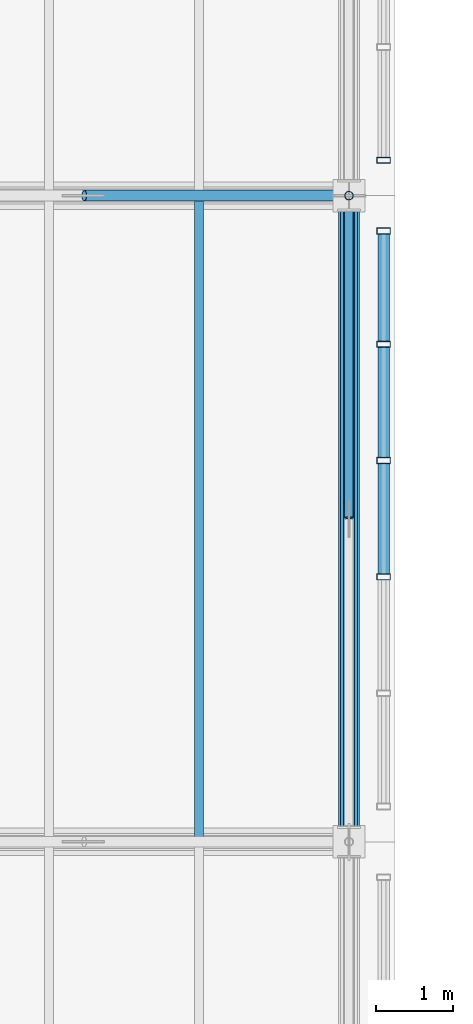
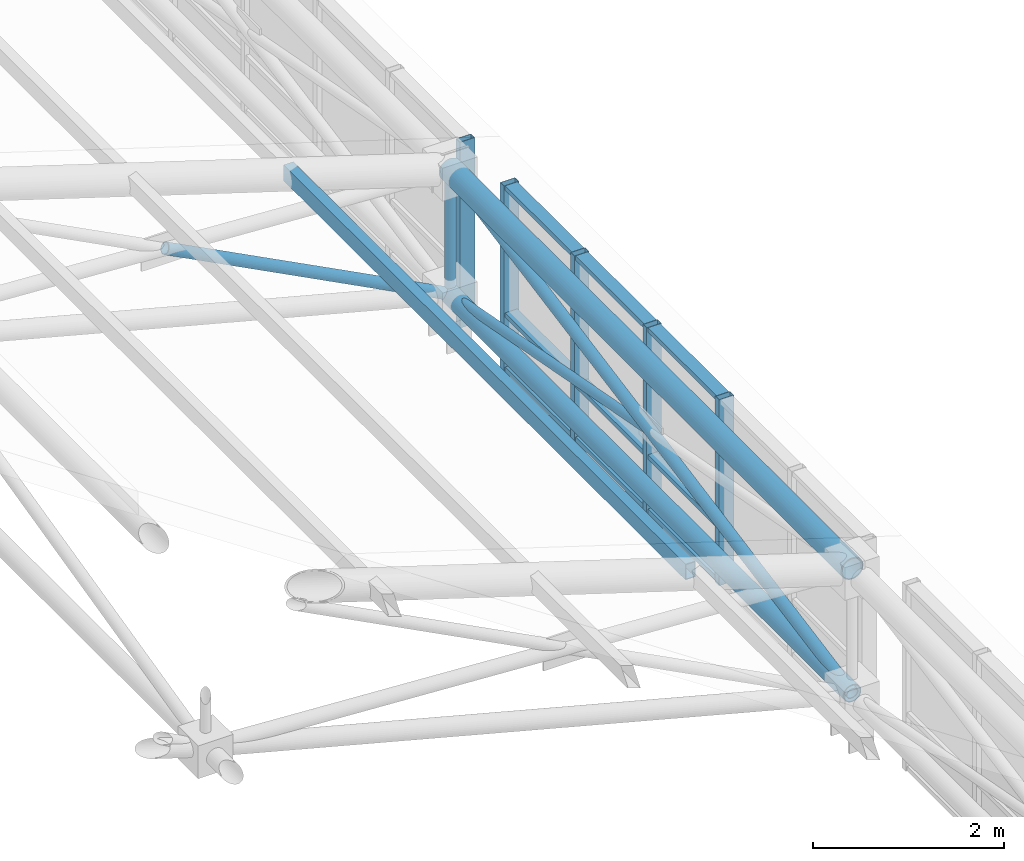
# One storey, part 94 of 144: 21 members, 2 elements without a shape of their own.
"""IFC4 building model written with IfcOpenShell, lengths in metres."""

from ifc_helpers import new_model, si_unit, direction, frame, origin, origin_2d, place, context, subcontext, project, spatial, hollow_rectangle, hollow_circle, extrude, material, layer, layer_set, material_profile, profile_set, type_object, element, aggregate, save


model = new_model("IFC4")

# Units and contexts
model_context = context("Model", 3, precision=1e-05, world=origin(), true_north=direction((0.0, 1.0)))
body_context = subcontext(model_context, "Body", "Model", "MODEL_VIEW")
ifc_project = project(units=[si_unit("LENGTHUNIT", "METRE"), si_unit("AREAUNIT", "SQUARE_METRE"), si_unit("VOLUMEUNIT", "CUBIC_METRE"), si_unit("PLANEANGLEUNIT", "RADIAN"), si_unit("MASSUNIT", "GRAM", prefix="KILO")], contexts=[model_context])

# Site, building, storey
site_placement = place(None, origin())
site = spatial("IfcSite", under=ifc_project, at=site_placement, CompositionType="ELEMENT")
building_placement = place(site_placement, origin())
building = spatial("IfcBuilding", under=site, at=building_placement, Name="Zayran Congress Hotel", CompositionType="ELEMENT")
storey_placement = place(building_placement, frame((0.0, 0.0, 19.199951171875)))
storey = spatial("IfcBuildingStorey", under=building, at=storey_placement, Name="L04", CompositionType="ELEMENT", Elevation=19.199951171875)

# Members
ifc_material_1 = material(Name="Steel S355", Category="steel")
ifc_material_profile_1 = material_profile(ifc_material_1, hollow_circle(Radius=0.136474609375, WallThickness=0.012451171875, at=origin_2d()), Name="CHS 273x12.5")
ifc_profile_set_1 = profile_set([ifc_material_profile_1], Name="Steel S355")
member_type_1 = type_object("IfcMemberType", Name="TP-SF-TC2", PredefinedType="CHORD", material=ifc_profile_set_1)
member_1_placement = place(storey_placement, frame((91.800048828125, 92.800048828125, 2.19140625), z_axis=(0.0, 1.0, 0.0), x_axis=(-1.0, 0.0, 0.0)))
element("IfcMember", 1, at=member_1_placement, inside=storey, type_object=member_type_1, Name="Space Frame Top Chord Y 558", PredefinedType="CHORD", context=body_context, shape_type="SweptSolid", body=[
    extrude(hollow_circle(Radius=0.136474609375, WallThickness=0.012451171875, at=origin_2d()), origin(), (0.0, 0.0, 1.0), 8.39990234375),
])
ifc_material_profile_2 = material_profile(ifc_material_1, hollow_circle(Radius=0.109619140625, WallThickness=0.010009765625, at=origin_2d()), Name="CHS 219.1x10")
ifc_profile_set_2 = profile_set([ifc_material_profile_2], Name="Steel S355")
member_type_2 = type_object("IfcMemberType", Name="TP-SF-BC1", PredefinedType="CHORD", material=ifc_profile_set_2)
member_2_placement = place(storey_placement, frame((91.800048828125, 92.800048828125, 0.60009765625), z_axis=(0.0, 1.0, 0.0), x_axis=(-1.0, 0.0, 0.0)))
element("IfcMember", 2, at=member_2_placement, inside=storey, type_object=member_type_2, Name="Space Frame Bottom Chord Y 559", PredefinedType="CHORD", context=body_context, shape_type="SweptSolid", body=[
    extrude(hollow_circle(Radius=0.109619140625, WallThickness=0.010009765625, at=origin_2d()), origin(), (0.0, 0.0, 1.0), 8.39990234375),
])
ifc_material_profile_3 = material_profile(ifc_material_1, hollow_circle(Radius=0.06982421875, WallThickness=0.00634765625, at=origin_2d()), Name="CHS 139.7x6.3")
ifc_profile_set_3 = profile_set([ifc_material_profile_3], Name="Steel S355")
member_type_3 = type_object("IfcMemberType", Name="TP-SF-DG2", PredefinedType="BRACE", material=ifc_profile_set_3)
member_3_placement = place(storey_placement, frame((88.359130859375, 101.199951171875, 2.387451171875), z_axis=(0.887419803116, 0.0, -0.4609621384), x_axis=(0.0, 1.0, 0.0)))
element("IfcMember", 3, at=member_3_placement, inside=storey, type_object=member_type_3, Name="Space Frame Counter Diagonal X Lower 80", PredefinedType="BRACE", context=body_context, shape_type="SweptSolid", body=[
    extrude(hollow_circle(Radius=0.06982421875, WallThickness=0.00634765625, at=origin_2d()), origin(), (0.0, 0.0, 1.0), 3.87744140625),
])
member_4_placement = place(storey_placement, frame((91.800048828125, 92.800048828125, 0.60009765625), z_axis=(0.0, 0.982524541302, 0.186133086096), x_axis=(-1.0, 0.0, 0.0)))
element("IfcMember", 4, at=member_4_placement, inside=storey, type_object=member_type_3, Name="Space Frame Web Diagonal Y 560", PredefinedType="BRACE", context=body_context, shape_type="SweptSolid", body=[
    extrude(hollow_circle(Radius=0.06982421875, WallThickness=0.00634765625, at=origin_2d()), origin(), (0.0, 0.0, 1.0), 8.54931640625),
])
ifc_material_profile_4 = material_profile(ifc_material_1, hollow_circle(Radius=0.05712890625, WallThickness=0.00634765625, at=origin_2d()), Name="CHS 114.3x6.3")
ifc_profile_set_4 = profile_set([ifc_material_profile_4], Name="Steel S355")
member_type_4 = type_object("IfcMemberType", Name="TP-SF-DG3", PredefinedType="BRACE", material=ifc_profile_set_4)
member_5_placement = place(storey_placement, frame((91.800048828125, 97.0146484375, 1.39306640625), z_axis=(0.0, 0.982520698357, -0.186153370371), x_axis=(-1.0, 0.0, 0.0)))
element("IfcMember", 5, at=member_5_placement, inside=storey, type_object=member_type_4, Name="Space Frame Bracing Diagonal Y Lower 86", PredefinedType="BRACE", context=body_context, shape_type="SweptSolid", body=[
    extrude(hollow_circle(Radius=0.05712890625, WallThickness=0.00634765625, at=origin_2d()), origin(), (0.0, 0.0, 1.0), 4.259765625),
])
member_6_placement = place(storey_placement, frame((91.800048828125, 101.199951171875, 0.60009765625), z_axis=(0.0, 0.0, 1.0), x_axis=(0.0, 1.0, 0.0)))
element("IfcMember", 6, at=member_6_placement, inside=storey, type_object=member_type_4, Name="Space Frame Web Strut 567", PredefinedType="BRACE", context=body_context, shape_type="SweptSolid", body=[
    extrude(hollow_circle(Radius=0.05712890625, WallThickness=0.00634765625, at=origin_2d()), origin(), (0.0, 0.0, 1.0), 1.59130859375),
])
ifc_material_profile_5 = material_profile(ifc_material_1, hollow_rectangle(XDim=0.1201171875, YDim=0.199951171875, WallThickness=0.008056640625, at=origin_2d()), Name="RHS 200x120x8")
ifc_profile_set_5 = profile_set([ifc_material_profile_5], Name="Steel S355")
member_type_5 = type_object("IfcMemberType", Name="TP-PR-01", PredefinedType="PURLIN", material=ifc_profile_set_5)
member_7_placement = place(storey_placement, frame((89.85009765625, 92.800048828125, 2.8486328125), z_axis=(0.0, 1.0, 0.0), x_axis=(-1.0, 0.0, 0.0)))
element("IfcMember", 7, at=member_7_placement, inside=storey, type_object=member_type_5, Name="MEM-PR-V1-0178", PredefinedType="PURLIN", context=body_context, shape_type="SweptSolid", body=[
    extrude(hollow_rectangle(XDim=0.1201171875, YDim=0.199951171875, WallThickness=0.008056640625, at=origin_2d()), origin(), (0.0, 0.0, 1.0), 8.39990234375),
])

# Curtain wall, members
ifc_material_2 = material(Name="Anodised aluminium and low-E insulated glass", Category="aluminium")
ifc_layer = layer(ifc_material_2, 0.179931640625)
ifc_layer_set = layer_set([ifc_layer], Name="Anodised aluminium and low-E insulated glass")
curtain_wall_type = type_object("IfcCurtainWallType", Name="CW-V1CL-L04-CW-41-7560-2370", PredefinedType="USERDEFINED", material=ifc_layer_set)
curtain_wall_1_placement = place(storey_placement, origin())
curtain_wall_1 = element("IfcCurtainWall", 8, at=curtain_wall_1_placement, inside=storey, type_object=curtain_wall_type, Name="CW-V1CLE-3", ObjectType="CURTAIN WALL", PredefinedType="USERDEFINED")
ifc_material_3 = material(Name="Anodised aluminium framing", Category="aluminium")
ifc_material_profile_6 = material_profile(ifc_material_3, hollow_rectangle(XDim=0.080078125, YDim=0.179931640625, WallThickness=0.0048828125, at=origin_2d()), Name="RHS 180x80x5")
ifc_profile_set_6 = profile_set([ifc_material_profile_6], Name="Anodised aluminium framing")
member_type_6 = type_object("IfcMemberType", Name="TP-CWM-01", PredefinedType="MULLION", material=ifc_profile_set_6)
member_8_placement = place(storey_placement, frame((92.25, 96.243896484375, -0.219970703125), z_axis=(0.0, 0.0, 1.0), x_axis=(0.0, 1.0, 0.0)))
member_8 = element("IfcMember", 9, at=member_8_placement, type_object=member_type_6, Name="CW-V1CLE-3-M02", PredefinedType="MULLION", context=body_context, shape_type="SweptSolid", body=[
    extrude(hollow_rectangle(XDim=0.080078125, YDim=0.179931640625, WallThickness=0.0048828125, at=origin_2d()), origin(), (0.0, 0.0, 1.0), 2.3701171875),
])
member_9_placement = place(storey_placement, frame((92.25, 97.756103515625, -0.219970703125), z_axis=(0.0, 0.0, 1.0), x_axis=(0.0, 1.0, 0.0)))
member_9 = element("IfcMember", 10, at=member_9_placement, type_object=member_type_6, Name="CW-V1CLE-3-M03", PredefinedType="MULLION", context=body_context, shape_type="SweptSolid", body=[
    extrude(hollow_rectangle(XDim=0.080078125, YDim=0.179931640625, WallThickness=0.0048828125, at=origin_2d()), origin(), (0.0, 0.0, 1.0), 2.3701171875),
])
member_10_placement = place(storey_placement, frame((92.25, 99.26806640625, -0.219970703125), z_axis=(0.0, 0.0, 1.0), x_axis=(0.0, 1.0, 0.0)))
member_10 = element("IfcMember", 11, at=member_10_placement, type_object=member_type_6, Name="CW-V1CLE-3-M04", PredefinedType="MULLION", context=body_context, shape_type="SweptSolid", body=[
    extrude(hollow_rectangle(XDim=0.080078125, YDim=0.179931640625, WallThickness=0.0048828125, at=origin_2d()), origin(), (0.0, 0.0, 1.0), 2.3701171875),
])
member_11_placement = place(storey_placement, frame((92.25, 100.739990234375, -0.219970703125), z_axis=(0.0, 0.0, 1.0), x_axis=(0.0, 1.0, 0.0)))
member_11 = element("IfcMember", 12, at=member_11_placement, type_object=member_type_6, Name="CW-V1CLE-3-M05", PredefinedType="MULLION", context=body_context, shape_type="SweptSolid", body=[
    extrude(hollow_rectangle(XDim=0.080078125, YDim=0.179931640625, WallThickness=0.0048828125, at=origin_2d()), origin(), (0.0, 0.0, 1.0), 2.3701171875),
])

# Curtain wall, member
curtain_wall_2_placement = place(storey_placement, origin())
curtain_wall_2 = element("IfcCurtainWall", 13, at=curtain_wall_2_placement, inside=storey, type_object=curtain_wall_type, Name="CW-V1CLE-4", ObjectType="CURTAIN WALL", PredefinedType="USERDEFINED")
member_12_placement = place(storey_placement, frame((92.25, 101.659912109375, -0.219970703125), z_axis=(0.0, 0.0, 1.0), x_axis=(0.0, 1.0, 0.0)))
member_12 = element("IfcMember", 14, at=member_12_placement, type_object=member_type_6, Name="CW-V1CLE-4-M00", PredefinedType="MULLION", context=body_context, shape_type="SweptSolid", body=[
    extrude(hollow_rectangle(XDim=0.080078125, YDim=0.179931640625, WallThickness=0.0048828125, at=origin_2d()), origin(), (0.0, 0.0, 1.0), 2.3701171875),
])
aggregate(curtain_wall_2, [member_12])

# Member
ifc_material_profile_7 = material_profile(ifc_material_3, hollow_rectangle(XDim=0.06005859375, YDim=0.14990234375, WallThickness=0.00390625, at=origin_2d()), Name="RHS 150x60x4")
ifc_profile_set_7 = profile_set([ifc_material_profile_7], Name="Anodised aluminium framing")
member_type_7 = type_object("IfcMemberType", Name="TP-CWT-01", PredefinedType="USERDEFINED", material=ifc_profile_set_7)
member_13_placement = place(storey_placement, frame((92.25, 96.283935546875, -0.18994140625), z_axis=(0.0, 1.0, 0.0), x_axis=(0.0, 0.0, 1.0)))
member_13 = element("IfcMember", 15, at=member_13_placement, type_object=member_type_7, Name="CW-V1CLE-3-T02-0", ObjectType="TRANSOM", PredefinedType="USERDEFINED", context=body_context, shape_type="SweptSolid", body=[
    extrude(hollow_rectangle(XDim=0.06005859375, YDim=0.14990234375, WallThickness=0.00390625, at=origin_2d()), origin(), (0.0, 0.0, 1.0), 1.43212890625),
])

member_14_placement = place(storey_placement, frame((92.25, 96.283935546875, 0.5), z_axis=(0.0, 1.0, 0.0), x_axis=(0.0, 0.0, 1.0)))
member_14 = element("IfcMember", 16, at=member_14_placement, type_object=member_type_7, Name="CW-V1CLE-3-T02-1", ObjectType="TRANSOM", PredefinedType="USERDEFINED", context=body_context, shape_type="SweptSolid", body=[
    extrude(hollow_rectangle(XDim=0.06005859375, YDim=0.14990234375, WallThickness=0.00390625, at=origin_2d()), origin(), (0.0, 0.0, 1.0), 1.43212890625),
])

member_15_placement = place(storey_placement, frame((92.25, 96.283935546875, 2.1201171875), z_axis=(0.0, 1.0, 0.0), x_axis=(0.0, 0.0, 1.0)))
member_15 = element("IfcMember", 17, at=member_15_placement, type_object=member_type_7, Name="CW-V1CLE-3-T02-2", ObjectType="TRANSOM", PredefinedType="USERDEFINED", context=body_context, shape_type="SweptSolid", body=[
    extrude(hollow_rectangle(XDim=0.06005859375, YDim=0.14990234375, WallThickness=0.00390625, at=origin_2d()), origin(), (0.0, 0.0, 1.0), 1.43212890625),
])

member_16_placement = place(storey_placement, frame((92.25, 97.7958984375, -0.18994140625), z_axis=(0.0, 1.0, 0.0), x_axis=(0.0, 0.0, 1.0)))
member_16 = element("IfcMember", 18, at=member_16_placement, type_object=member_type_7, Name="CW-V1CLE-3-T03-0", ObjectType="TRANSOM", PredefinedType="USERDEFINED", context=body_context, shape_type="SweptSolid", body=[
    extrude(hollow_rectangle(XDim=0.06005859375, YDim=0.14990234375, WallThickness=0.00390625, at=origin_2d()), origin(), (0.0, 0.0, 1.0), 1.43212890625),
])

member_17_placement = place(storey_placement, frame((92.25, 97.7958984375, 0.5), z_axis=(0.0, 1.0, 0.0), x_axis=(0.0, 0.0, 1.0)))
member_17 = element("IfcMember", 19, at=member_17_placement, type_object=member_type_7, Name="CW-V1CLE-3-T03-1", ObjectType="TRANSOM", PredefinedType="USERDEFINED", context=body_context, shape_type="SweptSolid", body=[
    extrude(hollow_rectangle(XDim=0.06005859375, YDim=0.14990234375, WallThickness=0.00390625, at=origin_2d()), origin(), (0.0, 0.0, 1.0), 1.43212890625),
])

member_18_placement = place(storey_placement, frame((92.25, 97.7958984375, 2.1201171875), z_axis=(0.0, 1.0, 0.0), x_axis=(0.0, 0.0, 1.0)))
member_18 = element("IfcMember", 20, at=member_18_placement, type_object=member_type_7, Name="CW-V1CLE-3-T03-2", ObjectType="TRANSOM", PredefinedType="USERDEFINED", context=body_context, shape_type="SweptSolid", body=[
    extrude(hollow_rectangle(XDim=0.06005859375, YDim=0.14990234375, WallThickness=0.00390625, at=origin_2d()), origin(), (0.0, 0.0, 1.0), 1.43212890625),
])

member_19_placement = place(storey_placement, frame((92.25, 99.30810546875, -0.18994140625), z_axis=(0.0, 1.0, 0.0), x_axis=(0.0, 0.0, 1.0)))
member_19 = element("IfcMember", 21, at=member_19_placement, type_object=member_type_7, Name="CW-V1CLE-3-T04-0", ObjectType="TRANSOM", PredefinedType="USERDEFINED", context=body_context, shape_type="SweptSolid", body=[
    extrude(hollow_rectangle(XDim=0.06005859375, YDim=0.14990234375, WallThickness=0.00390625, at=origin_2d()), origin(), (0.0, 0.0, 1.0), 1.391845703125),
])

member_20_placement = place(storey_placement, frame((92.25, 99.30810546875, 0.5), z_axis=(0.0, 1.0, 0.0), x_axis=(0.0, 0.0, 1.0)))
member_20 = element("IfcMember", 22, at=member_20_placement, type_object=member_type_7, Name="CW-V1CLE-3-T04-1", ObjectType="TRANSOM", PredefinedType="USERDEFINED", context=body_context, shape_type="SweptSolid", body=[
    extrude(hollow_rectangle(XDim=0.06005859375, YDim=0.14990234375, WallThickness=0.00390625, at=origin_2d()), origin(), (0.0, 0.0, 1.0), 1.391845703125),
])

member_21_placement = place(storey_placement, frame((92.25, 99.30810546875, 2.1201171875), z_axis=(0.0, 1.0, 0.0), x_axis=(0.0, 0.0, 1.0)))
member_21 = element("IfcMember", 23, at=member_21_placement, type_object=member_type_7, Name="CW-V1CLE-3-T04-2", ObjectType="TRANSOM", PredefinedType="USERDEFINED", context=body_context, shape_type="SweptSolid", body=[
    extrude(hollow_rectangle(XDim=0.06005859375, YDim=0.14990234375, WallThickness=0.00390625, at=origin_2d()), origin(), (0.0, 0.0, 1.0), 1.391845703125),
])

aggregate(curtain_wall_1, [member_8, member_9, member_10, member_11, member_13, member_14, member_15, member_16, member_17, member_18, member_19, member_20, member_21])

save(model, "model.ifc")
